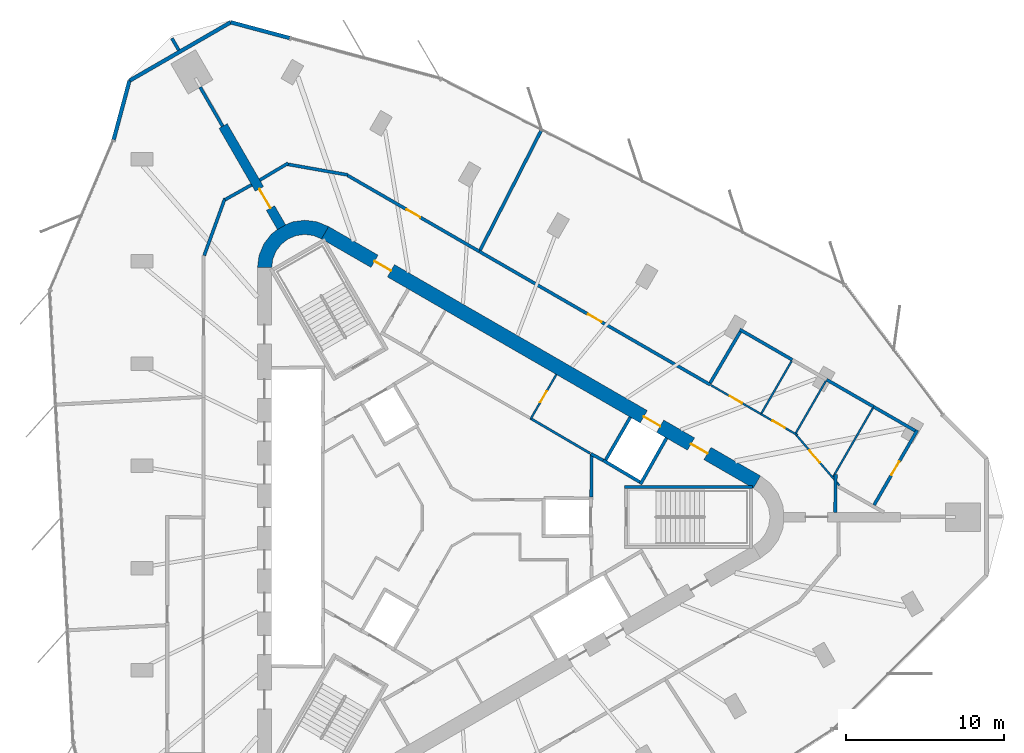
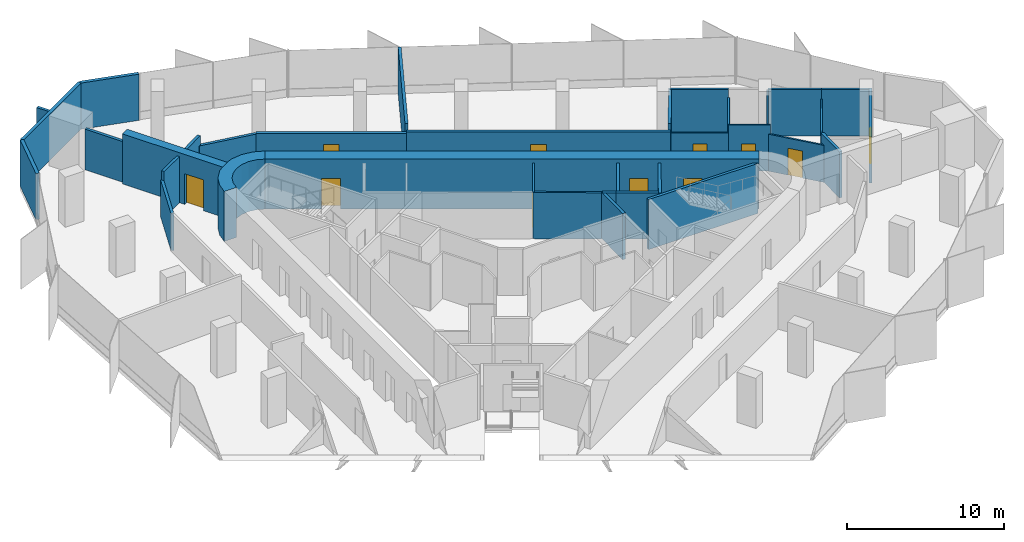
# One storey, part 10 of 12: 35 walls, 11 doors, 11 openings.
"""IFC4 building model written with IfcOpenShell, lengths in metres."""

from ifc_helpers import new_model, si_unit, direction, frame, frame_2d, origin, place, context, subcontext, project, spatial, polyline, rectangle, outline, extrude, material, layer, layer_set, type_object, element, fill, save


model = new_model("IFC4")

# Units and contexts
model_context = context("Model", 3, precision=1e-05, world=origin(), true_north=direction((0.0, 1.0)))
body_context = subcontext(model_context, "Body", "Model", "MODEL_VIEW")
ifc_project = project(units=[si_unit("LENGTHUNIT", "METRE"), si_unit("AREAUNIT", "SQUARE_METRE"), si_unit("VOLUMEUNIT", "CUBIC_METRE"), si_unit("PLANEANGLEUNIT", "RADIAN"), si_unit("MASSUNIT", "GRAM", prefix="KILO")], contexts=[model_context])

# Site, building, storey
site_placement = place(None, origin())
site = spatial("IfcSite", under=ifc_project, at=site_placement, CompositionType="ELEMENT")
building_placement = place(site_placement, origin())
building = spatial("IfcBuilding", under=site, at=building_placement, Name="Tanit Gate Tower", CompositionType="ELEMENT")
storey_placement = place(building_placement, frame((0.0, 0.0, 357.199951171875)))
storey = spatial("IfcBuildingStorey", under=building, at=storey_placement, Name="L81", CompositionType="ELEMENT", Elevation=357.199951171875)

# Wall, opening, door
ifc_material_1 = material(Name="Concrete C40/50", Category="concrete")
ifc_layer_1 = layer(ifc_material_1, 0.60009765625)
ifc_layer_set_1 = layer_set([ifc_layer_1], Name="BUTTRESS FIN 600 C40/50")
wall_type_1 = type_object("IfcWallType", Name="BUTTRESS FIN 600 C40/50", PredefinedType="SHEAR", material=ifc_layer_set_1)
wall_1_placement = place(storey_placement, frame((-10.574951171875, 18.31640625, 0.0), z_axis=(0.0, 0.0, 1.0), x_axis=(-0.500009454961, 0.866019944892, 0.0)))
wall_1 = element("IfcWall", 1, at=wall_1_placement, inside=storey, type_object=wall_type_1, Name="BUTTRESS FIN", PredefinedType="SHEAR", context=body_context, shape_type="SweptSolid", body=[
    extrude(rectangle(XDim=7.387939453125, YDim=0.60009765625, at=frame_2d((3.69384765625, 0.0))), origin(), (0.0, 0.0, 1.0), 3.900146484375),
])
opening_1_placement = place(wall_1_placement, frame((1.39990234375, 0.0, 0.0)))
opening_1 = element("IfcOpeningElement", 2, at=opening_1_placement, cuts=wall_1, Name="Opening P14-S23-F-NW-1", PredefinedType="OPENING", context=body_context, shape_type="SweptSolid", body=[
    extrude(rectangle(XDim=1.39990234375, YDim=2.39990234375, at=frame_2d((0.699951171875, 1.199951171875))), frame((0.0, 0.31005859375, 0.0), z_axis=(0.0, -1.0, 0.0), x_axis=(1.0, 0.0, 0.0)), (0.0, 0.0, 1.0), 0.6201171875),
])
ifc_material_2 = material(Name="Timber door leaf", Category="wood")
door_type_1 = type_object("IfcDoorType", Name="INT-DOOR-FIN-PAIR-1400", OperationType="NOTDEFINED", PredefinedType="NOTDEFINED", material=ifc_material_2)
door_1_placement = place(opening_1_placement, origin())
door_1 = element("IfcDoor", 3, at=door_1_placement, inside=storey, type_object=door_type_1, Name="Door P14-S23-F-NW-1", OperationType="DOUBLE_DOOR_SINGLE_SWING", OverallHeight=2.39990234375, OverallWidth=1.39990234375, PredefinedType="NOTDEFINED", context=body_context, shape_type="SweptSolid", body=[
    extrude(rectangle(XDim=1.39990234375, YDim=2.39990234375, at=frame_2d((0.699951171875, 1.199951171875))), frame((0.0, 0.02490234375, 0.0), z_axis=(0.0, -1.0, 0.0), x_axis=(1.0, 0.0, 0.0)), (0.0, 0.0, 1.0), 0.050048828125),
])
fill(opening_1, door_1)

# Wall, openings, doors
ifc_material_3 = material(Name="Concrete C40/50", Category="concrete")
ifc_layer_2 = layer(ifc_material_3, 0.89990234375)
ifc_layer_set_2 = layer_set([ifc_layer_2], Name="CORE WALL 900 C40/50")
wall_type_2 = type_object("IfcWallType", Name="CORE WALL 900 C40/50", PredefinedType="SHEAR", material=ifc_layer_set_2)
wall_2_placement = place(storey_placement, frame((19.47509765625, 2.20849609375, 0.0), z_axis=(0.0, 0.0, 1.0), x_axis=(-0.866028369851, 0.499994862586, 0.0)))
wall_2 = element("IfcWall", 4, at=wall_2_placement, inside=storey, type_object=wall_type_2, Name="CORE WALL", PredefinedType="SHEAR", context=body_context, shape_type="SweptSolid", body=[
    extrude(rectangle(XDim=31.523193359375, YDim=0.89990234375, at=frame_2d((15.76171875, 0.0))), origin(), (0.0, 0.0, 1.0), 3.900146484375),
])
opening_2_placement = place(wall_2_placement, frame((7.0615234375, 0.0, 0.0)))
opening_2 = element("IfcOpeningElement", 5, at=opening_2_placement, cuts=wall_2, Name="Opening LDHL8-S23", PredefinedType="OPENING", context=body_context, shape_type="SweptSolid", body=[
    extrude(rectangle(XDim=1.199951171875, YDim=2.39990234375, at=frame_2d((0.60009765625, 1.199951171875))), frame((0.0, 0.4599609375, 0.0), z_axis=(0.0, -1.0, 0.0), x_axis=(1.0, 0.0, 0.0)), (0.0, 0.0, 1.0), 0.919921875),
])
opening_3_placement = place(wall_2_placement, frame((3.611572265625, 0.0, 0.0)))
opening_3 = element("IfcOpeningElement", 6, at=opening_3_placement, cuts=wall_2, Name="Opening F12-S23-FL1", PredefinedType="OPENING", context=body_context, shape_type="SweptSolid", body=[
    extrude(rectangle(XDim=1.199951171875, YDim=2.39990234375, at=frame_2d((0.60009765625, 1.199951171875))), frame((0.0, 0.4599609375, 0.0), z_axis=(0.0, -1.0, 0.0), x_axis=(1.0, 0.0, 0.0)), (0.0, 0.0, 1.0), 0.919921875),
])
opening_4_placement = place(wall_2_placement, frame((26.711669921875, 0.0, 0.0)))
opening_4 = element("IfcOpeningElement", 7, at=opening_4_placement, cuts=wall_2, Name="Opening F12-S23-S2", PredefinedType="OPENING", context=body_context, shape_type="SweptSolid", body=[
    extrude(rectangle(XDim=1.199951171875, YDim=2.39990234375, at=frame_2d((0.60009765625, 1.199951171875))), frame((0.0, 0.4599609375, 0.0), z_axis=(0.0, -1.0, 0.0), x_axis=(1.0, 0.0, 0.0)), (0.0, 0.0, 1.0), 0.919921875),
])
ifc_material_4 = material(Name="Fire-rated steel door leaf", Category="steel")
door_type_2 = type_object("IfcDoorType", Name="INT-DOOR-FIRE-LOBBY-1200", OperationType="NOTDEFINED", PredefinedType="USERDEFINED", material=ifc_material_4)
door_2_placement = place(opening_3_placement, origin())
door_2 = element("IfcDoor", 8, at=door_2_placement, inside=storey, type_object=door_type_2, Name="Door F12-S23-FL1", ObjectType="FIRE DOOR", OperationType="SINGLE_SWING_LEFT", OverallHeight=2.39990234375, OverallWidth=1.199951171875, PredefinedType="USERDEFINED", context=body_context, shape_type="SweptSolid", body=[
    extrude(rectangle(XDim=1.199951171875, YDim=2.39990234375, at=frame_2d((0.60009765625, 1.199951171875))), frame((0.0, 0.02490234375, 0.0), z_axis=(0.0, -1.0, 0.0), x_axis=(1.0, 0.0, 0.0)), (0.0, 0.0, 1.0), 0.050048828125),
])
fill(opening_3, door_2)
door_3_placement = place(opening_4_placement, origin())
door_3 = element("IfcDoor", 9, at=door_3_placement, inside=storey, type_object=door_type_2, Name="Door F12-S23-S2", ObjectType="FIRE DOOR", OperationType="SINGLE_SWING_LEFT", OverallHeight=2.39990234375, OverallWidth=1.199951171875, PredefinedType="USERDEFINED", context=body_context, shape_type="SweptSolid", body=[
    extrude(rectangle(XDim=1.199951171875, YDim=2.39990234375, at=frame_2d((0.60009765625, 1.199951171875))), frame((0.0, 0.02490234375, 0.0), z_axis=(0.0, -1.0, 0.0), x_axis=(1.0, 0.0, 0.0)), (0.0, 0.0, 1.0), 0.050048828125),
])
fill(opening_4, door_3)
ifc_material_5 = material(Name="Stainless steel sliding door leaf", Category="steel")
door_type_3 = type_object("IfcDoorType", Name="INT-DOOR-LANDING-1200", OperationType="NOTDEFINED", PredefinedType="USERDEFINED", material=ifc_material_5)
door_4_placement = place(opening_2_placement, origin())
door_4 = element("IfcDoor", 10, at=door_4_placement, inside=storey, type_object=door_type_3, Name="Door LDHL8-S23", ObjectType="LANDING DOOR", OperationType="SLIDING_TO_LEFT", OverallHeight=2.39990234375, OverallWidth=1.199951171875, PredefinedType="USERDEFINED", context=body_context, shape_type="SweptSolid", body=[
    extrude(rectangle(XDim=1.199951171875, YDim=2.39990234375, at=frame_2d((0.60009765625, 1.199951171875))), frame((0.0, 0.02490234375, 0.0), z_axis=(0.0, -1.0, 0.0), x_axis=(1.0, 0.0, 0.0)), (0.0, 0.0, 1.0), 0.050048828125),
])
fill(opening_2, door_4)

# Walls
wall_3_placement = place(storey_placement, origin())
element("IfcWall", 11, at=wall_3_placement, inside=storey, type_object=wall_type_2, Name="CORE WALL CORNER", PredefinedType="SHEAR", context=body_context, shape_type="SweptSolid", body=[
    extrude(outline(polyline([(-7.60009765625, 18.359619140625), (-8.323486328125, 18.659423828125), (-9.10009765625, 18.76171875), (-9.87646484375, 18.659423828125), (-10.60009765625, 18.359619140625), (-11.22119140625, 17.883056640625), (-11.697998046875, 17.26171875), (-11.997802734375, 16.5380859375), (-12.10009765625, 15.76171875), (-11.199951171875, 15.76171875), (-11.12841796875, 16.30517578125), (-10.918701171875, 16.811767578125), (-10.5849609375, 17.24658203125), (-10.14990234375, 17.580322265625), (-9.6435546875, 17.7900390625), (-9.10009765625, 17.86181640625), (-8.556396484375, 17.7900390625), (-8.050048828125, 17.580322265625), (-7.60009765625, 18.359619140625)])), origin(), (0.0, 0.0, 1.0), 3.900146484375),
])
ifc_material_6 = material(Name="Concrete C30/37 with bronze anodised aluminium cladding", Category="concrete")
ifc_layer_3 = layer(ifc_material_6, 0.239990234375)
ifc_layer_set_3 = layer_set([ifc_layer_3], Name="Facade wall bronze clad 240")
wall_type_3 = type_object("IfcWallType", Name="Facade wall bronze clad 240", PredefinedType="SOLIDWALL", material=ifc_layer_set_3)
wall_4_placement = place(storey_placement, frame((-10.056640625, 30.274169921875, 0.0), z_axis=(0.0, 0.0, 1.0), x_axis=(-0.965920386927, 0.258839344225, 0.0)))
element("IfcWall", 12, at=wall_4_placement, inside=storey, type_object=wall_type_3, Name="Bronze-clad facade wall L81 NW.arc1", PredefinedType="SOLIDWALL", context=body_context, shape_type="SweptSolid", body=[
    extrude(rectangle(XDim=3.860595703125, YDim=0.239990234375, at=frame_2d((1.93017578125, 0.0))), origin(), (0.0, 0.0, 1.0), 3.60009765625),
])
wall_5_placement = place(storey_placement, frame((-13.78564453125, 31.2734375, 0.0), z_axis=(0.0, 0.0, 1.0), x_axis=(-0.866022320763, -0.500005339912, 0.0)))
element("IfcWall", 13, at=wall_5_placement, inside=storey, type_object=wall_type_3, Name="Bronze-clad facade wall L81 NW.arc2", PredefinedType="SOLIDWALL", context=body_context, shape_type="SweptSolid", body=[
    extrude(rectangle(XDim=7.39599609375, YDim=0.239990234375, at=frame_2d((3.697998046875, 0.0))), origin(), (0.0, 0.0, 1.0), 3.60009765625),
])
wall_6_placement = place(storey_placement, frame((-20.190673828125, 27.575439453125, 0.0), z_axis=(0.0, 0.0, 1.0), x_axis=(-0.258848583704, -0.965917910961, 0.0)))
element("IfcWall", 14, at=wall_6_placement, inside=storey, type_object=wall_type_3, Name="Bronze-clad facade wall L81 NW.arc3", PredefinedType="SOLIDWALL", context=body_context, shape_type="SweptSolid", body=[
    extrude(rectangle(XDim=3.868896484375, YDim=0.239990234375, at=frame_2d((1.9345703125, 0.0))), origin(), (0.0, 0.0, 1.0), 3.60009765625),
])
ifc_material_7 = material(Name="Fire-rated gypsum board partition")
ifc_layer_4 = layer(ifc_material_7, 0.199951171875)
ifc_layer_set_4 = layer_set([ifc_layer_4], Name="INT-WALL-COMPARTMENT")
wall_type_4 = type_object("IfcWallType", Name="INT-WALL-COMPARTMENT", PredefinedType="PARTITIONING", material=ifc_layer_set_4)
wall_7_placement = place(storey_placement, frame((8.97412109375, 3.998779296875, 0.0), z_axis=(0.0, 0.0, 1.0), x_axis=(0.880917147855, -0.473270513147, 0.0)))
element("IfcWall", 15, at=wall_7_placement, inside=storey, type_object=wall_type_4, Name="Wall Compartment W045", PredefinedType="PARTITIONING", context=body_context, shape_type="SweptSolid", body=[
    extrude(rectangle(XDim=0.8779296875, YDim=0.199951171875, at=frame_2d((0.43896484375, 0.0))), origin(), (0.0, 0.0, 1.0), 3.60009765625),
])
wall_8_placement = place(storey_placement, frame((9.0009765625, 1.27001953125, 0.0), z_axis=(0.0, 0.0, 1.0), x_axis=(0.01074821465, 0.999942236273, 0.0)))
element("IfcWall", 16, at=wall_8_placement, inside=storey, type_object=wall_type_4, Name="Wall Compartment W059", PredefinedType="PARTITIONING", context=body_context, shape_type="SweptSolid", body=[
    extrude(rectangle(XDim=2.725830078125, YDim=0.199951171875, at=frame_2d((1.36279296875, 0.0))), origin(), (0.0, 0.0, 1.0), 3.60009765625),
])
wall_9_placement = place(storey_placement, frame((-14.15234375, 20.143310546875, 0.0), z_axis=(0.0, 0.0, 1.0), x_axis=(-0.342008467257, -0.939696870445, 0.0)))
element("IfcWall", 17, at=wall_9_placement, inside=storey, type_object=wall_type_4, Name="Wall Compartment W093", PredefinedType="PARTITIONING", context=body_context, shape_type="SweptSolid", body=[
    extrude(rectangle(XDim=3.840576171875, YDim=0.199951171875, at=frame_2d((1.92041015625, 0.0))), origin(), (0.0, 0.0, 1.0), 2.880126953125),
])
wall_10_placement = place(storey_placement, frame((-12.469970703125, 20.99853515625, 0.0), z_axis=(0.0, 0.0, 1.0), x_axis=(-0.872542788959, -0.488537697046, 0.0)))
element("IfcWall", 18, at=wall_10_placement, inside=storey, type_object=wall_type_4, Name="Wall Compartment W094", PredefinedType="PARTITIONING", context=body_context, shape_type="SweptSolid", body=[
    extrude(rectangle(XDim=1.924560546875, YDim=0.199951171875, at=frame_2d((0.96240234375, 0.0))), origin(), (0.0, 0.0, 1.0), 3.60009765625),
])
wall_11_placement = place(storey_placement, frame((-10.154541015625, 22.3671875, 0.0), z_axis=(0.0, 0.0, 1.0), x_axis=(-0.859343009577, -0.511399640097, 0.0)))
element("IfcWall", 19, at=wall_11_placement, inside=storey, type_object=wall_type_4, Name="Wall Compartment W095", PredefinedType="PARTITIONING", context=body_context, shape_type="SweptSolid", body=[
    extrude(rectangle(XDim=2.089599609375, YDim=0.199951171875, at=frame_2d((1.044921875, 0.0))), origin(), (0.0, 0.0, 1.0), 3.60009765625),
])
wall_12_placement = place(storey_placement, frame((-6.389404296875, 21.626220703125, 0.0), z_axis=(0.0, 0.0, 1.0), x_axis=(-0.984802578286, 0.173677522442, 0.0)))
element("IfcWall", 20, at=wall_12_placement, inside=storey, type_object=wall_type_4, Name="Wall Compartment W096", PredefinedType="PARTITIONING", context=body_context, shape_type="SweptSolid", body=[
    extrude(rectangle(XDim=3.87548828125, YDim=0.199951171875, at=frame_2d((1.937744140625, 0.0))), origin(), (0.0, 0.0, 1.0), 2.880126953125),
])

# Wall, opening, door
wall_13_placement = place(storey_placement, frame((16.52294921875, 8.3583984375, 0.0), z_axis=(0.0, 0.0, 1.0), x_axis=(-0.866024307761, 0.500001898363, 0.0)))
wall_13 = element("IfcWall", 21, at=wall_13_placement, inside=storey, type_object=wall_type_4, Name="Wall Compartment W098", PredefinedType="PARTITIONING", context=body_context, shape_type="SweptSolid", body=[
    extrude(rectangle(XDim=16.86474609375, YDim=0.199951171875, at=frame_2d((8.432373046875, 0.0))), origin(), (0.0, 0.0, 1.0), 3.070068359375),
])
opening_5_placement = place(wall_13_placement, frame((7.923583984375, 0.0, 0.0)))
opening_5 = element("IfcOpeningElement", 22, at=opening_5_placement, cuts=wall_13, Name="Opening F10-S23-27", PredefinedType="OPENING", context=body_context, shape_type="SweptSolid", body=[
    extrude(rectangle(XDim=1.0, YDim=2.10009765625, at=frame_2d((0.5, 1.050048828125))), frame((0.0, 0.10986328125, 0.0), z_axis=(0.0, -1.0, 0.0), x_axis=(1.0, 0.0, 0.0)), (0.0, 0.0, 1.0), 0.219970703125),
])
ifc_material_8 = material(Name="Fire-rated steel door leaf", Category="steel")
door_type_4 = type_object("IfcDoorType", Name="INT-DOOR-FIRE-1000", OperationType="NOTDEFINED", PredefinedType="USERDEFINED", material=ifc_material_8)
door_5_placement = place(opening_5_placement, origin())
door_5 = element("IfcDoor", 23, at=door_5_placement, inside=storey, type_object=door_type_4, Name="Door F10-S23-27", ObjectType="FIRE DOOR", OperationType="SINGLE_SWING_RIGHT", OverallHeight=2.10009765625, OverallWidth=1.0, PredefinedType="USERDEFINED", context=body_context, shape_type="SweptSolid", body=[
    extrude(rectangle(XDim=1.0, YDim=2.10009765625, at=frame_2d((0.5, 1.050048828125))), frame((0.0, 0.02490234375, 0.0), z_axis=(0.0, -1.0, 0.0), x_axis=(1.0, 0.0, 0.0)), (0.0, 0.0, 1.0), 0.050048828125),
])
fill(opening_5, door_5)

wall_14_placement = place(storey_placement, frame((1.917724609375, 16.790771484375, 0.0), z_axis=(0.0, 0.0, 1.0), x_axis=(-0.866027719511, 0.499995989022, 0.0)))
wall_14 = element("IfcWall", 24, at=wall_14_placement, inside=storey, type_object=wall_type_4, Name="Wall Compartment W097", PredefinedType="PARTITIONING", context=body_context, shape_type="SweptSolid", body=[
    extrude(rectangle(XDim=9.60595703125, YDim=0.199951171875, at=frame_2d((4.802978515625, 0.0))), origin(), (0.0, 0.0, 1.0), 2.969970703125),
])
opening_6_placement = place(wall_14_placement, frame((4.302978515625, 0.0, 0.0)))
opening_6 = element("IfcOpeningElement", 25, at=opening_6_placement, cuts=wall_14, Name="Opening F10-S23-26", PredefinedType="OPENING", context=body_context, shape_type="SweptSolid", body=[
    extrude(rectangle(XDim=1.0, YDim=2.10009765625, at=frame_2d((0.5, 1.050048828125))), frame((0.0, 0.10986328125, 0.0), z_axis=(0.0, -1.0, 0.0), x_axis=(1.0, 0.0, 0.0)), (0.0, 0.0, 1.0), 0.219970703125),
])
door_6_placement = place(opening_6_placement, origin())
door_6 = element("IfcDoor", 26, at=door_6_placement, inside=storey, type_object=door_type_4, Name="Door F10-S23-26", ObjectType="FIRE DOOR", OperationType="SINGLE_SWING_RIGHT", OverallHeight=2.10009765625, OverallWidth=1.0, PredefinedType="USERDEFINED", context=body_context, shape_type="SweptSolid", body=[
    extrude(rectangle(XDim=1.0, YDim=2.10009765625, at=frame_2d((0.5, 1.050048828125))), frame((0.0, 0.02490234375, 0.0), z_axis=(0.0, -1.0, 0.0), x_axis=(1.0, 0.0, 0.0)), (0.0, 0.0, 1.0), 0.050048828125),
])
fill(opening_6, door_6)

# Walls
wall_15_placement = place(storey_placement, frame((24.420654296875, 0.300048828125, 0.0), z_axis=(0.0, 0.0, 1.0), x_axis=(0.01432634179, 0.999897372699, 0.0)))
element("IfcWall", 27, at=wall_15_placement, inside=storey, type_object=wall_type_4, Name="Wall Compartment W099", PredefinedType="PARTITIONING", context=body_context, shape_type="SweptSolid", body=[
    extrude(rectangle(XDim=2.40283203125, YDim=0.199951171875, at=frame_2d((1.201416015625, 0.0))), origin(), (0.0, 0.0, 1.0), 3.60009765625),
])
wall_16_placement = place(storey_placement, frame((-14.294921875, 24.699462890625, 0.0), z_axis=(0.0, 0.0, 1.0), x_axis=(-0.500003887042, 0.866023159588, 0.0)))
element("IfcWall", 28, at=wall_16_placement, inside=storey, type_object=wall_type_4, Name="Wall Compartment W115", PredefinedType="PARTITIONING", context=body_context, shape_type="SweptSolid", body=[
    extrude(rectangle(XDim=2.853515625, YDim=0.199951171875, at=frame_2d((1.4267578125, 0.0))), origin(), (0.0, 0.0, 1.0), 3.170166015625),
])
wall_17_placement = place(storey_placement, frame((-17.07421875, 29.513427734375, 0.0), z_axis=(0.0, 0.0, 1.0), x_axis=(-0.500065409566, 0.86598763626, 0.0)))
element("IfcWall", 29, at=wall_17_placement, inside=storey, type_object=wall_type_4, Name="Wall Compartment W114", PredefinedType="PARTITIONING", context=body_context, shape_type="SweptSolid", body=[
    extrude(rectangle(XDim=0.86279296875, YDim=0.199951171875, at=frame_2d((0.431396484375, 0.0))), origin(), (0.0, 0.0, 1.0), 3.60009765625),
])
wall_18_placement = place(storey_placement, frame((5.852294921875, 24.465087890625, 0.0), z_axis=(0.0, 0.0, 1.0), x_axis=(-0.454427213858, -0.890783872387, 0.0)))
element("IfcWall", 30, at=wall_18_placement, inside=storey, type_object=wall_type_4, Name="Wall Compartment W116", PredefinedType="PARTITIONING", context=body_context, shape_type="SweptSolid", body=[
    extrude(rectangle(XDim=8.525146484375, YDim=0.199951171875, at=frame_2d((4.2626953125, 0.0))), origin(), (0.0, 0.0, 1.0), 3.60009765625),
])
wall_19_placement = place(storey_placement, frame((18.39013671875, 11.852783203125, 0.0), z_axis=(0.0, 0.0, 1.0), x_axis=(0.866041454758, -0.499972197867, 0.0)))
element("IfcWall", 31, at=wall_19_placement, inside=storey, type_object=wall_type_4, Name="Wall Compartment W119", PredefinedType="PARTITIONING", context=body_context, shape_type="SweptSolid", body=[
    extrude(rectangle(XDim=3.836181640625, YDim=0.199951171875, at=frame_2d((1.91796875, 0.0))), origin(), (0.0, 0.0, 1.0), 3.60009765625),
])
wall_20_placement = place(storey_placement, frame((23.88037109375, 8.68310546875, 0.0), z_axis=(0.0, 0.0, 1.0), x_axis=(0.866043267704, -0.499969057507, 0.0)))
element("IfcWall", 32, at=wall_20_placement, inside=storey, type_object=wall_type_4, Name="Wall Compartment W122", PredefinedType="PARTITIONING", context=body_context, shape_type="SweptSolid", body=[
    extrude(rectangle(XDim=3.427978515625, YDim=0.199951171875, at=frame_2d((1.7138671875, 0.0))), origin(), (0.0, 0.0, 1.0), 3.60009765625),
])
wall_21_placement = place(storey_placement, frame((26.84912109375, 6.96923828125, 0.0), z_axis=(0.0, 0.0, 1.0), x_axis=(0.866009954834, -0.500026757412, 0.0)))
element("IfcWall", 33, at=wall_21_placement, inside=storey, type_object=wall_type_4, Name="Wall Compartment W125", PredefinedType="PARTITIONING", context=body_context, shape_type="SweptSolid", body=[
    extrude(rectangle(XDim=3.032470703125, YDim=0.199951171875, at=frame_2d((1.51611328125, 0.0))), origin(), (0.0, 0.0, 1.0), 3.60009765625),
])
wall_22_placement = place(storey_placement, frame((16.521484375, 8.474609375, 0.0), z_axis=(0.0, 0.0, 1.0), x_axis=(0.506577406318, 0.862194485837, 0.0)))
element("IfcWall", 34, at=wall_22_placement, inside=storey, type_object=wall_type_4, Name="Wall Compartment W120", PredefinedType="PARTITIONING", context=body_context, shape_type="SweptSolid", body=[
    extrude(rectangle(XDim=3.760009765625, YDim=0.199951171875, at=frame_2d((1.8798828125, 0.0))), origin(), (0.0, 0.0, 1.0), 3.60009765625),
])

# Wall, opening, door
wall_23_placement = place(storey_placement, frame((26.882080078125, 0.760986328125, 0.0), z_axis=(0.0, 0.0, 1.0), x_axis=(0.499995975244, 0.866027727466, 0.0)))
wall_23 = element("IfcWall", 35, at=wall_23_placement, inside=storey, type_object=wall_type_4, Name="Wall Compartment W124", PredefinedType="PARTITIONING", context=body_context, shape_type="SweptSolid", body=[
    extrude(rectangle(XDim=5.4599609375, YDim=0.199951171875, at=frame_2d((2.72998046875, 0.0))), origin(), (0.0, 0.0, 1.0), 3.60009765625),
])
opening_7_placement = place(wall_23_placement, frame((2.179931640625, 0.0, 0.0)))
opening_7 = element("IfcOpeningElement", 36, at=opening_7_placement, cuts=wall_23, Name="Opening F10-S23-22", PredefinedType="OPENING", context=body_context, shape_type="SweptSolid", body=[
    extrude(rectangle(XDim=1.0, YDim=2.10009765625, at=frame_2d((0.5, 1.050048828125))), frame((0.0, 0.10986328125, 0.0), z_axis=(0.0, -1.0, 0.0), x_axis=(1.0, 0.0, 0.0)), (0.0, 0.0, 1.0), 0.219970703125),
])
door_7_placement = place(opening_7_placement, origin())
door_7 = element("IfcDoor", 37, at=door_7_placement, inside=storey, type_object=door_type_4, Name="Door F10-S23-22", ObjectType="FIRE DOOR", OperationType="SINGLE_SWING_RIGHT", OverallHeight=2.10009765625, OverallWidth=1.0, PredefinedType="USERDEFINED", context=body_context, shape_type="SweptSolid", body=[
    extrude(rectangle(XDim=1.0, YDim=2.10009765625, at=frame_2d((0.5, 1.050048828125))), frame((0.0, 0.02490234375, 0.0), z_axis=(0.0, -1.0, 0.0), x_axis=(1.0, 0.0, 0.0)), (0.0, 0.0, 1.0), 0.050048828125),
])
fill(opening_7, door_7)

ifc_material_9 = material(Name="Gypsum board partition")
ifc_layer_5 = layer(ifc_material_9, 0.1201171875)
ifc_layer_set_5 = layer_set([ifc_layer_5], Name="INT-WALL-PARTITION")
wall_type_5 = type_object("IfcWallType", Name="INT-WALL-PARTITION", PredefinedType="PARTITIONING", material=ifc_layer_set_5)
wall_24_placement = place(storey_placement, frame((5.170166015625, 6.19482421875, 0.0), z_axis=(0.0, 0.0, 1.0), x_axis=(0.499984717929, 0.866034226713, 0.0)))
wall_24 = element("IfcWall", 38, at=wall_24_placement, inside=storey, type_object=wall_type_5, Name="Wall Partition W044", PredefinedType="PARTITIONING", context=body_context, shape_type="SweptSolid", body=[
    extrude(rectangle(XDim=3.25, YDim=0.1201171875, at=frame_2d((1.625, 0.0))), origin(), (0.0, 0.0, 1.0), 3.60009765625),
])
opening_8_placement = place(wall_24_placement, frame((1.22509765625, 0.0, 0.0)))
opening_8 = element("IfcOpeningElement", 39, at=opening_8_placement, cuts=wall_24, Name="Opening R08-S23-13", PredefinedType="OPENING", context=body_context, shape_type="SweptSolid", body=[
    extrude(rectangle(XDim=0.800048828125, YDim=2.10009765625, at=frame_2d((0.39990234375, 1.050048828125))), frame((0.0, 0.070068359375, 0.0), z_axis=(0.0, -1.0, 0.0), x_axis=(1.0, 0.0, 0.0)), (0.0, 0.0, 1.0), 0.14013671875),
])
ifc_material_10 = material(Name="Timber door leaf", Category="wood")
door_type_5 = type_object("IfcDoorType", Name="INT-DOOR-RISER-800", OperationType="NOTDEFINED", PredefinedType="USERDEFINED", material=ifc_material_10)
door_8_placement = place(opening_8_placement, origin())
door_8 = element("IfcDoor", 40, at=door_8_placement, inside=storey, type_object=door_type_5, Name="Door R08-S23-13", ObjectType="FIRE DOOR", OperationType="SINGLE_SWING_LEFT", OverallHeight=2.10009765625, OverallWidth=0.800048828125, PredefinedType="USERDEFINED", context=body_context, shape_type="SweptSolid", body=[
    extrude(rectangle(XDim=0.800048828125, YDim=2.10009765625, at=frame_2d((0.39990234375, 1.050048828125))), frame((0.0, 0.02490234375, 0.0), z_axis=(0.0, -1.0, 0.0), x_axis=(1.0, 0.0, 0.0)), (0.0, 0.0, 1.0), 0.050048828125),
])
fill(opening_8, door_8)

wall_25_placement = place(storey_placement, frame((22.040283203125, 5.1728515625, 0.0), z_axis=(0.0, 0.0, 1.0), x_axis=(-0.86601318911, 0.500021155841, 0.0)))
wall_25 = element("IfcWall", 41, at=wall_25_placement, inside=storey, type_object=wall_type_5, Name="Wall Partition W101", PredefinedType="PARTITIONING", context=body_context, shape_type="SweptSolid", body=[
    extrude(rectangle(XDim=2.6650390625, YDim=0.1201171875, at=frame_2d((1.33251953125, 0.0))), origin(), (0.0, 0.0, 1.0), 3.60009765625),
])
opening_9_placement = place(wall_25_placement, frame((0.933349609375, 0.0, 0.0)))
opening_9 = element("IfcOpeningElement", 42, at=opening_9_placement, cuts=wall_25, Name="Opening D09-S23-20", PredefinedType="OPENING", context=body_context, shape_type="SweptSolid", body=[
    extrude(rectangle(XDim=0.89990234375, YDim=2.10009765625, at=frame_2d((0.449951171875, 1.050048828125))), frame((0.0, 0.070068359375, 0.0), z_axis=(0.0, -1.0, 0.0), x_axis=(1.0, 0.0, 0.0)), (0.0, 0.0, 1.0), 0.14013671875),
])
ifc_material_11 = material(Name="Timber door leaf", Category="wood")
door_type_6 = type_object("IfcDoorType", Name="INT-DOOR-SINGLE-900", OperationType="NOTDEFINED", PredefinedType="NOTDEFINED", material=ifc_material_11)
door_9_placement = place(opening_9_placement, origin())
door_9 = element("IfcDoor", 43, at=door_9_placement, inside=storey, type_object=door_type_6, Name="Door D09-S23-20", OperationType="SINGLE_SWING_RIGHT", OverallHeight=2.10009765625, OverallWidth=0.89990234375, PredefinedType="NOTDEFINED", context=body_context, shape_type="SweptSolid", body=[
    extrude(rectangle(XDim=0.89990234375, YDim=2.10009765625, at=frame_2d((0.449951171875, 1.050048828125))), frame((0.0, 0.02490234375, 0.0), z_axis=(0.0, -1.0, 0.0), x_axis=(1.0, 0.0, 0.0)), (0.0, 0.0, 1.0), 0.050048828125),
])
fill(opening_9, door_9)

wall_26_placement = place(storey_placement, frame((19.732421875, 6.50537109375, 0.0), z_axis=(0.0, 0.0, 1.0), x_axis=(-0.866038098351, 0.49997801172, 0.0)))
wall_26 = element("IfcWall", 44, at=wall_26_placement, inside=storey, type_object=wall_type_5, Name="Wall Partition W100", PredefinedType="PARTITIONING", context=body_context, shape_type="SweptSolid", body=[
    extrude(rectangle(XDim=3.666259765625, YDim=0.1201171875, at=frame_2d((1.8330078125, 0.0))), origin(), (0.0, 0.0, 1.0), 2.969970703125),
])
opening_10_placement = place(wall_26_placement, frame((1.383056640625, 0.0, 0.0)))
opening_10 = element("IfcOpeningElement", 45, at=opening_10_placement, cuts=wall_26, Name="Opening D09-S23-19", PredefinedType="OPENING", context=body_context, shape_type="SweptSolid", body=[
    extrude(rectangle(XDim=0.89990234375, YDim=2.10009765625, at=frame_2d((0.449951171875, 1.050048828125))), frame((0.0, 0.070068359375, 0.0), z_axis=(0.0, -1.0, 0.0), x_axis=(1.0, 0.0, 0.0)), (0.0, 0.0, 1.0), 0.14013671875),
])
door_10_placement = place(opening_10_placement, origin())
door_10 = element("IfcDoor", 46, at=door_10_placement, inside=storey, type_object=door_type_6, Name="Door D09-S23-19", OperationType="SINGLE_SWING_RIGHT", OverallHeight=2.10009765625, OverallWidth=0.89990234375, PredefinedType="NOTDEFINED", context=body_context, shape_type="SweptSolid", body=[
    extrude(rectangle(XDim=0.89990234375, YDim=2.10009765625, at=frame_2d((0.449951171875, 1.050048828125))), frame((0.0, 0.02490234375, 0.0), z_axis=(0.0, -1.0, 0.0), x_axis=(1.0, 0.0, 0.0)), (0.0, 0.0, 1.0), 0.050048828125),
])
fill(opening_10, door_10)

wall_27_placement = place(storey_placement, frame((24.684814453125, 1.99755859375, 0.0), z_axis=(0.0, 0.0, 1.0), x_axis=(-0.649923984648, 0.759999219855, 0.0)))
wall_27 = element("IfcWall", 47, at=wall_27_placement, inside=storey, type_object=wall_type_5, Name="Wall Partition W102", PredefinedType="PARTITIONING", context=body_context, shape_type="SweptSolid", body=[
    extrude(rectangle(XDim=4.220703125, YDim=0.1201171875, at=frame_2d((2.1103515625, 0.0))), origin(), (0.0, 0.0, 1.0), 2.880126953125),
])
opening_11_placement = place(wall_27_placement, frame((1.90380859375, 0.0, 0.0)))
opening_11 = element("IfcOpeningElement", 48, at=opening_11_placement, cuts=wall_27, Name="Opening D10-S23-21", PredefinedType="OPENING", context=body_context, shape_type="SweptSolid", body=[
    extrude(rectangle(XDim=1.0, YDim=2.10009765625, at=frame_2d((0.5, 1.050048828125))), frame((0.0, 0.070068359375, 0.0), z_axis=(0.0, -1.0, 0.0), x_axis=(1.0, 0.0, 0.0)), (0.0, 0.0, 1.0), 0.14013671875),
])
ifc_material_12 = material(Name="Timber door leaf", Category="wood")
door_type_7 = type_object("IfcDoorType", Name="INT-DOOR-SINGLE-1000", OperationType="NOTDEFINED", PredefinedType="NOTDEFINED", material=ifc_material_12)
door_11_placement = place(opening_11_placement, origin())
door_11 = element("IfcDoor", 49, at=door_11_placement, inside=storey, type_object=door_type_7, Name="Door D10-S23-21", OperationType="SINGLE_SWING_LEFT", OverallHeight=2.10009765625, OverallWidth=1.0, PredefinedType="NOTDEFINED", context=body_context, shape_type="SweptSolid", body=[
    extrude(rectangle(XDim=1.0, YDim=2.10009765625, at=frame_2d((0.5, 1.050048828125))), frame((0.0, 0.02490234375, 0.0), z_axis=(0.0, -1.0, 0.0), x_axis=(1.0, 0.0, 0.0)), (0.0, 0.0, 1.0), 0.050048828125),
])
fill(opening_11, door_11)

# Walls
wall_28_placement = place(storey_placement, frame((19.76220703125, 6.557373046875, 0.0), z_axis=(0.0, 0.0, 1.0), x_axis=(0.500015340139, 0.86601654697, 0.0)))
element("IfcWall", 50, at=wall_28_placement, inside=storey, type_object=wall_type_5, Name="Wall Partition W128", PredefinedType="PARTITIONING", context=body_context, shape_type="SweptSolid", body=[
    extrude(rectangle(XDim=3.80029296875, YDim=0.1201171875, at=frame_2d((1.900146484375, 0.0))), origin(), (0.0, 0.0, 1.0), 2.969970703125),
])
wall_29_placement = place(storey_placement, frame((23.830322265625, 8.5966796875, 0.0), z_axis=(0.0, 0.0, 1.0), x_axis=(-0.499967155389, -0.866044365799, 0.0)))
element("IfcWall", 51, at=wall_29_placement, inside=storey, type_object=wall_type_5, Name="Wall Partition W129", PredefinedType="PARTITIONING", context=body_context, shape_type="SweptSolid", body=[
    extrude(rectangle(XDim=3.800048828125, YDim=0.1201171875, at=frame_2d((1.89990234375, 0.0))), origin(), (0.0, 0.0, 1.0), 3.60009765625),
])
wall_30_placement = place(storey_placement, frame((26.799072265625, 6.882568359375, 0.0), z_axis=(0.0, 0.0, 1.0), x_axis=(-0.500003822013, -0.866023197133, 0.0)))
element("IfcWall", 52, at=wall_30_placement, inside=storey, type_object=wall_type_5, Name="Wall Partition W130", PredefinedType="PARTITIONING", context=body_context, shape_type="SweptSolid", body=[
    extrude(rectangle(XDim=5.00732421875, YDim=0.1201171875, at=frame_2d((2.503662109375, 0.0))), origin(), (0.0, 0.0, 1.0), 2.880126953125),
])
ifc_material_13 = material(Name="Fire-rated gypsum board partition")
ifc_layer_6 = layer(ifc_material_13, 0.14990234375)
ifc_layer_set_6 = layer_set([ifc_layer_6], Name="INT-WALL-RISER")
wall_type_6 = type_object("IfcWallType", Name="INT-WALL-RISER", PredefinedType="PLUMBINGWALL", material=ifc_layer_set_6)
wall_31_placement = place(storey_placement, frame((8.9306640625, 4.024658203125, 0.0), z_axis=(0.0, 0.0, 1.0), x_axis=(-0.862666884027, 0.505772525157, 0.0)))
element("IfcWall", 53, at=wall_31_placement, inside=storey, type_object=wall_type_6, Name="Wall Riser W046", PredefinedType="PLUMBINGWALL", context=body_context, shape_type="SweptSolid", body=[
    extrude(rectangle(XDim=4.371826171875, YDim=0.14990234375, at=frame_2d((2.18603515625, 0.0))), origin(), (0.0, 0.0, 1.0), 3.60009765625),
])
ifc_material_14 = material(Name="Gypsum shaft wall system")
ifc_layer_7 = layer(ifc_material_14, 0.199951171875)
ifc_layer_set_7 = layer_set([ifc_layer_7], Name="INT-WALL-SHAFT")
wall_type_7 = type_object("IfcWallType", Name="INT-WALL-SHAFT", PredefinedType="PLUMBINGWALL", material=ifc_layer_set_7)
wall_32_placement = place(storey_placement, frame((9.8466796875, 3.494873046875, 0.0), z_axis=(0.0, 0.0, 1.0), x_axis=(0.499984717929, 0.866034226713, 0.0)))
element("IfcWall", 54, at=wall_32_placement, inside=storey, type_object=wall_type_7, Name="Wall Shaft W012", PredefinedType="PLUMBINGWALL", context=body_context, shape_type="SweptSolid", body=[
    extrude(rectangle(XDim=3.25, YDim=0.199951171875, at=frame_2d((1.625, 0.0))), origin(), (0.0, 0.0, 1.0), 3.60009765625),
])
wall_33_placement = place(storey_placement, frame((12.10986328125, 2.07275390625, 0.0), z_axis=(0.0, 0.0, 1.0), x_axis=(0.49196600604, 0.870614408852, 0.0)))
element("IfcWall", 55, at=wall_33_placement, inside=storey, type_object=wall_type_7, Name="Wall Shaft W013", PredefinedType="PLUMBINGWALL", context=body_context, shape_type="SweptSolid", body=[
    extrude(rectangle(XDim=3.35009765625, YDim=0.199951171875, at=frame_2d((1.675048828125, 0.0))), origin(), (0.0, 0.0, 1.0), 3.60009765625),
])
wall_34_placement = place(storey_placement, frame((12.072998046875, 2.2109375, 0.0), z_axis=(0.0, 0.0, 1.0), x_axis=(-0.860414880418, 0.509594185166, 0.0)))
element("IfcWall", 56, at=wall_34_placement, inside=storey, type_object=wall_type_7, Name="Wall Shaft W014", PredefinedType="PLUMBINGWALL", context=body_context, shape_type="SweptSolid", body=[
    extrude(rectangle(XDim=2.7001953125, YDim=0.199951171875, at=frame_2d((1.35009765625, 0.0))), origin(), (0.0, 0.0, 1.0), 3.60009765625),
])
ifc_material_15 = material(Name="Concrete C40/50", Category="concrete")
ifc_layer_8 = layer(ifc_material_15, 0.199951171875)
ifc_layer_set_8 = layer_set([ifc_layer_8], Name="INT-WALL-STAIR")
wall_type_8 = type_object("IfcWallType", Name="INT-WALL-STAIR", PredefinedType="SHEAR", material=ifc_layer_set_8)
wall_35_placement = place(storey_placement, frame((19.199951171875, 1.89990234375, -0.300048828125), z_axis=(0.0, 0.0, 1.0), x_axis=(-1.0, 0.0, 0.0)))
element("IfcWall", 57, at=wall_35_placement, inside=storey, type_object=wall_type_8, Name="Wall Stair W020", PredefinedType="SHEAR", context=body_context, shape_type="SweptSolid", body=[
    extrude(rectangle(XDim=8.099853515625, YDim=0.199951171875, at=frame_2d((4.0498046875, 0.0))), origin(), (0.0, 0.0, 1.0), 3.900146484375),
])

save(model, "model.ifc")
